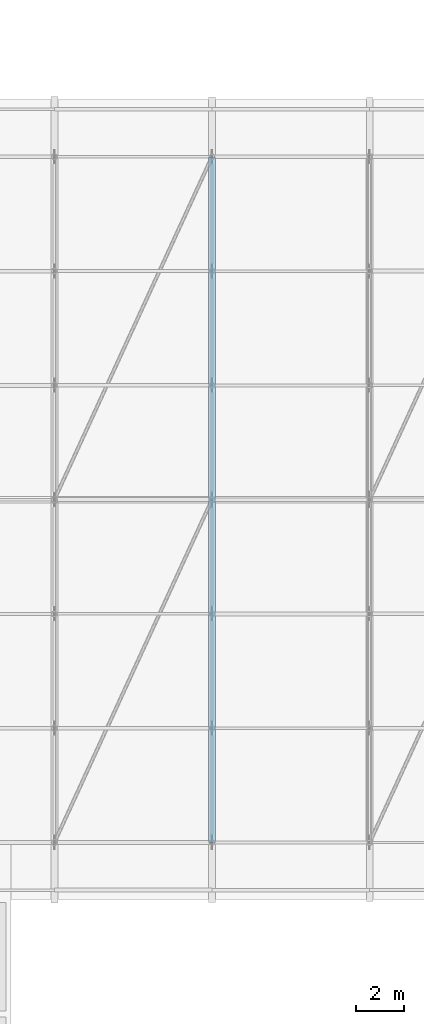
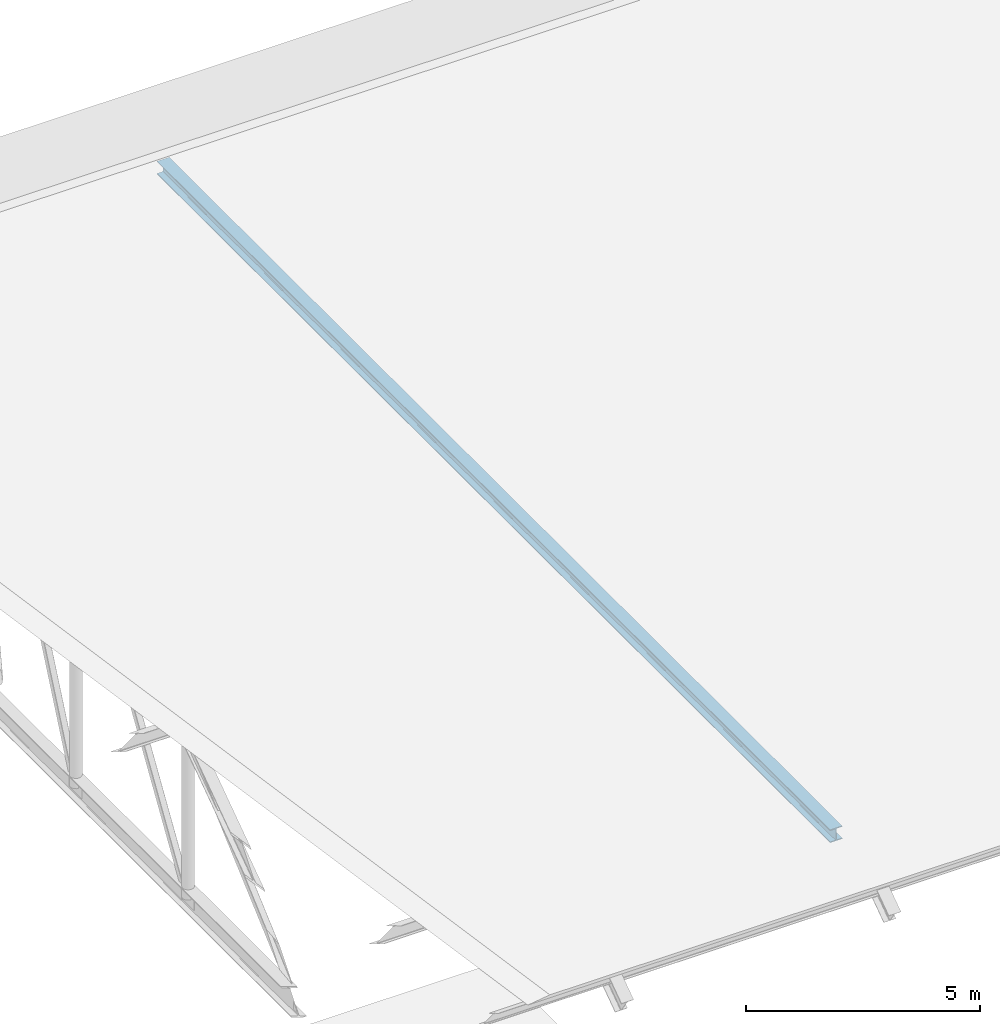
# One storey, part 74 of 134: 1 member.
"""IFC4 building model written with IfcOpenShell, lengths in metres."""

from ifc_helpers import new_model, si_unit, direction, frame, origin, origin_2d, place, context, subcontext, project, spatial, i_section, extrude, material, material_profile, profile_set, type_object, element, save


model = new_model("IFC4")

# Units and contexts
model_context = context("Model", 3, precision=1e-05, world=origin(), true_north=direction((0.0, 1.0)))
body_context = subcontext(model_context, "Body", "Model", "MODEL_VIEW")
ifc_project = project(units=[si_unit("LENGTHUNIT", "METRE"), si_unit("AREAUNIT", "SQUARE_METRE"), si_unit("VOLUMEUNIT", "CUBIC_METRE"), si_unit("PLANEANGLEUNIT", "RADIAN"), si_unit("MASSUNIT", "GRAM", prefix="KILO")], contexts=[model_context])

# Site, building, storey
site_placement = place(None, origin())
site = spatial("IfcSite", under=ifc_project, at=site_placement, CompositionType="ELEMENT")
building_placement = place(site_placement, origin())
building = spatial("IfcBuilding", under=site, at=building_placement, Name="Asteropetra Specialist Clinic", CompositionType="ELEMENT")
storey_placement = place(building_placement, frame((0.0, 0.0, 8.5)))
storey = spatial("IfcBuildingStorey", under=building, at=storey_placement, Name="L02", CompositionType="ELEMENT", Elevation=8.5)

# Member
ifc_material = material(Name="Steel S355", Category="steel")
ifc_material_profile = material_profile(ifc_material, i_section(OverallWidth=0.300048828125, OverallDepth=0.340087890625, WebThickness=0.011962890625, FlangeThickness=0.021484375, FilletRadius=0.027099609375, at=origin_2d()), Name="HEB 340")
ifc_profile_set = profile_set([ifc_material_profile], Name="Steel S355")
member_type = type_object("IfcMemberType", Name="TR-CHD-HEB340", PredefinedType="CHORD", material=ifc_profile_set)
member_placement = place(storey_placement, frame((133.239990234375, 76.800048828125, 0.3701171875), z_axis=(0.0, 1.0, 0.0), x_axis=(-1.0, 0.0, 0.0)))
element("IfcMember", 1, at=member_placement, inside=storey, type_object=member_type, Name="Truss Bottom Chord TRV1-BC08", PredefinedType="CHORD", context=body_context, shape_type="SweptSolid", body=[
    extrude(i_section(OverallWidth=0.300048828125, OverallDepth=0.340087890625, WebThickness=0.011962890625, FlangeThickness=0.021484375, FilletRadius=0.027099609375, at=origin_2d()), origin(), (0.0, 0.0, 1.0), 28.800048828125),
])

save(model, "model.ifc")
